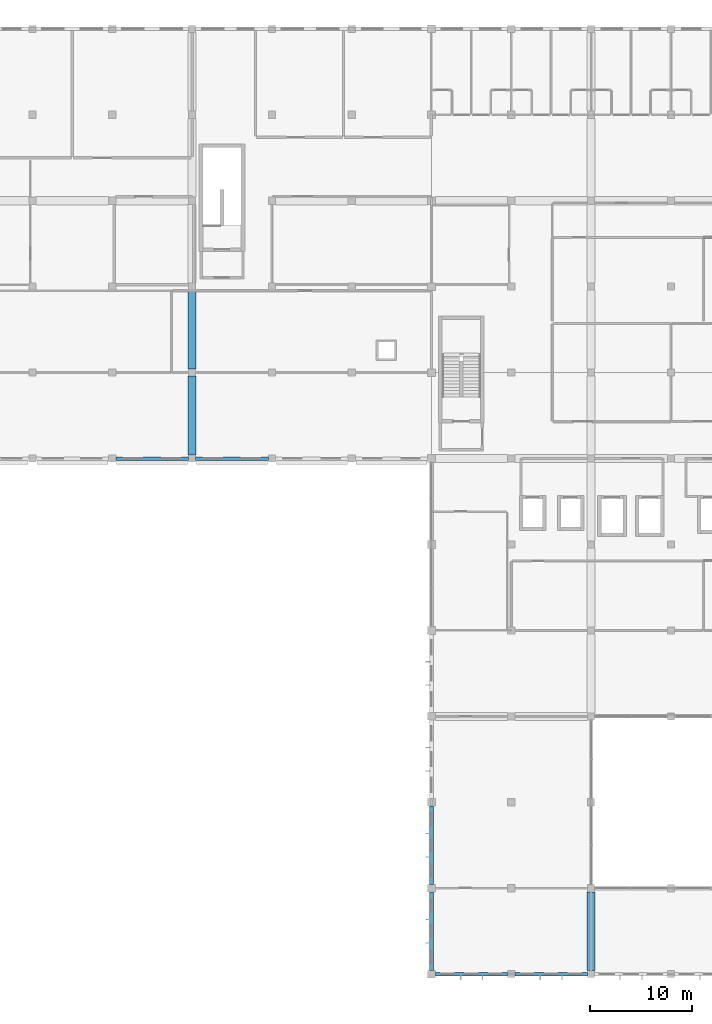
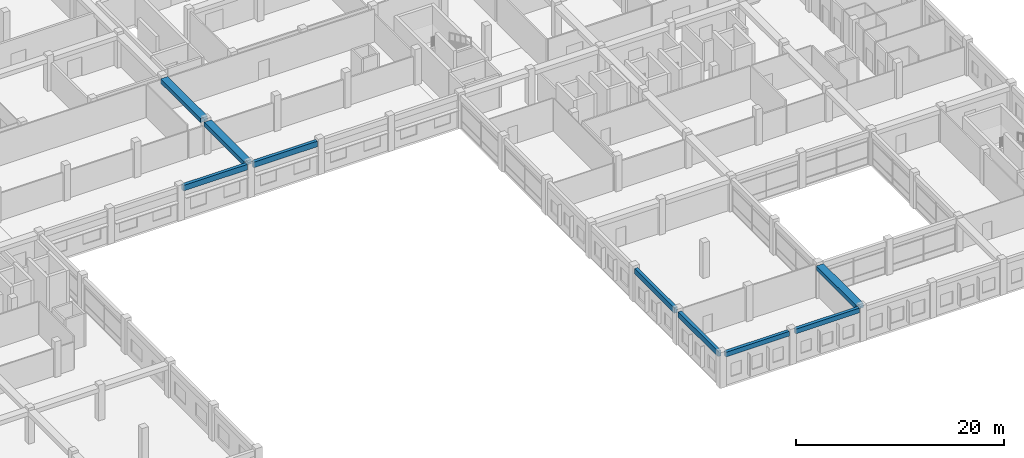
# One storey, part 6 of 53: 9 beams.
"""IFC4 building model written with IfcOpenShell, lengths in metres."""

from ifc_helpers import new_model, si_unit, direction, frame, origin, origin_2d, place, context, subcontext, project, spatial, rectangle, extrude, material, material_profile, profile_set, type_object, element, save


model = new_model("IFC4")

# Units and contexts
model_context = context("Model", 3, precision=1e-05, world=origin(), true_north=direction((0.0, 1.0)))
body_context = subcontext(model_context, "Body", "Model", "MODEL_VIEW")
ifc_project = project(units=[si_unit("LENGTHUNIT", "METRE"), si_unit("AREAUNIT", "SQUARE_METRE"), si_unit("VOLUMEUNIT", "CUBIC_METRE"), si_unit("PLANEANGLEUNIT", "RADIAN"), si_unit("MASSUNIT", "GRAM", prefix="KILO"), si_unit("THERMODYNAMICTEMPERATUREUNIT", "KELVIN"), si_unit("POWERUNIT", "WATT")], contexts=[model_context])

# Site, building, storey
site_placement = place(None, origin())
site = spatial("IfcSite", under=ifc_project, at=site_placement, CompositionType="ELEMENT")
building_placement = place(site_placement, origin())
building = spatial("IfcBuilding", under=site, at=building_placement, Name="Srebrne Nadtorze General Hospital", CompositionType="ELEMENT")
storey_placement = place(building_placement, frame((0.0, 0.0, 18.0)))
storey = spatial("IfcBuildingStorey", under=building, at=storey_placement, Name="L04", CompositionType="ELEMENT", Elevation=18.0)

# Beams
ifc_material_1 = material(Name="Concrete C35/45", Category="concrete")
ifc_material_profile_1 = material_profile(ifc_material_1, rectangle(XDim=0.35009765625, YDim=0.64990234375, at=origin_2d()), Name="RC-BM-350x650")
ifc_profile_set_1 = profile_set([ifc_material_profile_1], Name="Concrete C35/45")
beam_type_1 = type_object("IfcBeamType", Name="Edge beam RC 350x650", PredefinedType="BEAM", material=ifc_profile_set_1)
for number, where, z_axis, x_axis, name in (
    (1, (70.550048828125, 50.39990234375, 3.56005859375), (1.0, 0.0, 0.0), (0.0, 1.0, 0.0), "Beam BM-L04-X-0887"),
    (2, (78.35009765625, 50.39990234375, 3.56005859375), (1.0, 0.0, 0.0), (0.0, 1.0, 0.0), "Beam BM-L04-X-0888"),
):
    element("IfcBeam", number, at=place(storey_placement, frame(where, z_axis=z_axis, x_axis=x_axis)), inside=storey, type_object=beam_type_1, Name=name, PredefinedType="BEAM", context=body_context, shape_type="SweptSolid", body=[
        extrude(rectangle(XDim=0.35009765625, YDim=0.64990234375, at=origin_2d()), origin(), (0.0, 0.0, 1.0), 7.099853515625),
    ])
beam_1_placement = place(storey_placement, frame((101.39990234375, 0.375, 3.56005859375), z_axis=(0.0, 1.0, 0.0), x_axis=(-1.0, 0.0, 0.0)))
element("IfcBeam", 3, at=beam_1_placement, inside=storey, type_object=beam_type_1, Name="Beam BM-L04-Y-0957", PredefinedType="BEAM", context=body_context, shape_type="SweptSolid", body=[
    extrude(rectangle(XDim=0.35009765625, YDim=0.64990234375, at=origin_2d()), origin(), (0.0, 0.0, 1.0), 7.64990234375),
])
beam_2_placement = place(storey_placement, frame((101.39990234375, 8.77490234375, 3.56005859375), z_axis=(0.0, 1.0, 0.0), x_axis=(-1.0, 0.0, 0.0)))
element("IfcBeam", 4, at=beam_2_placement, inside=storey, type_object=beam_type_1, Name="Beam BM-L04-Y-0958", PredefinedType="BEAM", context=body_context, shape_type="SweptSolid", body=[
    extrude(rectangle(XDim=0.35009765625, YDim=0.64990234375, at=origin_2d()), origin(), (0.0, 0.0, 1.0), 7.650146484375),
])
ifc_material_2 = material(Name="Concrete C40/50", Category="concrete")
ifc_material_profile_2 = material_profile(ifc_material_2, rectangle(XDim=0.800048828125, YDim=0.5, at=origin_2d()), Name="RC-BM-800x500")
ifc_profile_set_2 = profile_set([ifc_material_profile_2], Name="Concrete C40/50")
beam_type_2 = type_object("IfcBeamType", Name="Primary beam RC 800x500", PredefinedType="BEAM", material=ifc_profile_set_2)
beam_3_placement = place(storey_placement, frame((78.0, 50.75, 3.635009765625), z_axis=(0.0, 1.0, 0.0), x_axis=(-1.0, 0.0, 0.0)))
element("IfcBeam", 5, at=beam_3_placement, inside=storey, type_object=beam_type_2, Name="Beam BM-L04-Y-0952", PredefinedType="BEAM", context=body_context, shape_type="SweptSolid", body=[
    extrude(rectangle(XDim=0.800048828125, YDim=0.5, at=origin_2d()), origin(), (0.0, 0.0, 1.0), 7.699951171875),
])
beam_4_placement = place(storey_placement, frame((78.0, 59.14990234375, 3.635009765625), z_axis=(0.0, 1.0, 0.0), x_axis=(-1.0, 0.0, 0.0)))
element("IfcBeam", 6, at=beam_4_placement, inside=storey, type_object=beam_type_2, Name="Beam BM-L04-Y-0953", PredefinedType="BEAM", context=body_context, shape_type="SweptSolid", body=[
    extrude(rectangle(XDim=0.800048828125, YDim=0.5, at=origin_2d()), origin(), (0.0, 0.0, 1.0), 7.7001953125),
])
beam_5_placement = place(storey_placement, frame((117.0, 0.35009765625, 3.635009765625), z_axis=(0.0, 1.0, 0.0), x_axis=(-1.0, 0.0, 0.0)))
element("IfcBeam", 7, at=beam_5_placement, inside=storey, type_object=beam_type_2, Name="Beam BM-L04-Y-0963", PredefinedType="BEAM", context=body_context, shape_type="SweptSolid", body=[
    extrude(rectangle(XDim=0.800048828125, YDim=0.5, at=origin_2d()), origin(), (0.0, 0.0, 1.0), 7.699951171875),
])
ifc_material_3 = material(Name="Concrete C35/45", Category="concrete")
ifc_material_profile_3 = material_profile(ifc_material_3, rectangle(XDim=0.35009765625, YDim=0.550048828125, at=origin_2d()), Name="RC-BM-350x550")
ifc_profile_set_3 = profile_set([ifc_material_profile_3], Name="Concrete C35/45")
beam_type_3 = type_object("IfcBeamType", Name="Spandrel lintel beam RC 350x550", PredefinedType="LINTEL", material=ifc_profile_set_3)
beam_6_placement = place(storey_placement, frame((101.77490234375, 0.0, 3.610107421875), z_axis=(1.0, 0.0, 0.0), x_axis=(0.0, 1.0, 0.0)))
element("IfcBeam", 8, at=beam_6_placement, inside=storey, type_object=beam_type_3, Name="Beam BM-L04-X-0859", PredefinedType="LINTEL", context=body_context, shape_type="SweptSolid", body=[
    extrude(rectangle(XDim=0.35009765625, YDim=0.550048828125, at=origin_2d()), origin(), (0.0, 0.0, 1.0), 7.0751953125),
])
beam_7_placement = place(storey_placement, frame((109.550048828125, 0.0, 3.610107421875), z_axis=(1.0, 0.0, 0.0), x_axis=(0.0, 1.0, 0.0)))
element("IfcBeam", 9, at=beam_7_placement, inside=storey, type_object=beam_type_3, Name="Beam BM-L04-X-0860", PredefinedType="LINTEL", context=body_context, shape_type="SweptSolid", body=[
    extrude(rectangle(XDim=0.35009765625, YDim=0.550048828125, at=origin_2d()), origin(), (0.0, 0.0, 1.0), 7.099853515625),
])

save(model, "model.ifc")
